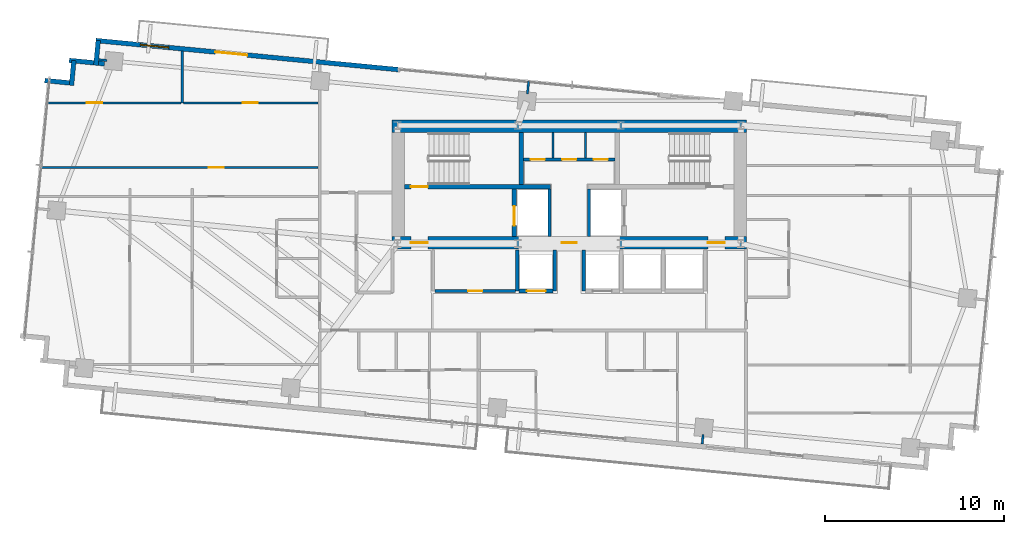
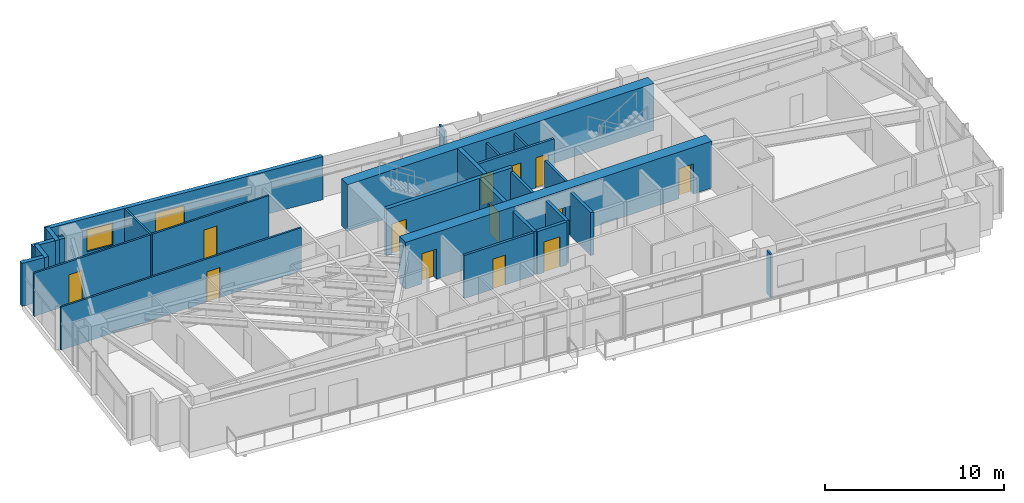
# One storey, part 15 of 19: 27 walls, 14 doors, 1 window, 15 openings.
"""IFC4 building model written with IfcOpenShell, lengths in metres."""

from ifc_helpers import new_model, si_unit, direction, frame, frame_2d, origin, place, context, subcontext, project, spatial, rectangle, extrude, source, transform, mapped, material, layer, layer_set, type_object, type_shapes, element, fill, save


model = new_model("IFC4")

# Units and contexts
model_context = context("Model", 3, precision=1e-05, world=origin(), true_north=direction((0.0, 1.0)))
body_context = subcontext(model_context, "Body", "Model", "MODEL_VIEW")
ifc_project = project(units=[si_unit("LENGTHUNIT", "METRE"), si_unit("AREAUNIT", "SQUARE_METRE"), si_unit("VOLUMEUNIT", "CUBIC_METRE"), si_unit("PLANEANGLEUNIT", "RADIAN"), si_unit("MASSUNIT", "GRAM", prefix="KILO")], contexts=[model_context])

# Site, building, storey
site_placement = place(None, origin())
site = spatial("IfcSite", under=ifc_project, at=site_placement, CompositionType="ELEMENT")
building_placement = place(site_placement, origin())
building = spatial("IfcBuilding", under=site, at=building_placement, Name="Astriad Promenade Condominiums", CompositionType="ELEMENT")
storey_placement = place(building_placement, frame((0.0, 0.0, 124.60009765625)))
storey = spatial("IfcBuildingStorey", under=building, at=storey_placement, Name="L35", CompositionType="ELEMENT", Elevation=124.60009765625)

# Wall, openings, doors
ifc_material_1 = material(Name="Concrete C60/75", Category="concrete")
ifc_layer_1 = layer(ifc_material_1, 0.699951171875)
ifc_layer_set_1 = layer_set([ifc_layer_1], Name="Concrete C60/75")
wall_type_1 = type_object("IfcWallType", Name="CW-SHEAR-700", PredefinedType="SHEAR", material=ifc_layer_set_1)
wall_1_placement = place(storey_placement, frame((26.10009765625, 17.449951171875, 0.0), z_axis=(0.0, 0.0, 1.0), x_axis=(1.0, 0.0, 0.0)))
wall_1 = element("IfcWall", 1, at=wall_1_placement, inside=storey, type_object=wall_type_1, Name="CW-CORE-S-L35", PredefinedType="SHEAR", context=body_context, shape_type="SweptSolid", body=[
    extrude(rectangle(XDim=19.7998046875, YDim=0.699951171875, at=frame_2d((9.89990234375, 0.0))), origin(), (0.0, 0.0, 1.0), 3.199951171875),
])
opening_1_placement = place(wall_1_placement, frame((1.050048828125, 0.0, 0.0)))
opening_1 = element("IfcOpeningElement", 2, at=opening_1_placement, cuts=wall_1, Name="Opening FD90-ST-095", PredefinedType="OPENING", context=body_context, shape_type="SweptSolid", body=[
    extrude(rectangle(XDim=0.949951171875, YDim=2.06005859375, at=frame_2d((0.47509765625, 1.030029296875))), frame((0.0, 0.35986328125, 0.0), z_axis=(0.0, -1.0, 0.0), x_axis=(1.0, 0.0, 0.0)), (0.0, 0.0, 1.0), 0.719970703125),
])
opening_2_placement = place(wall_1_placement, frame((9.47998046875, 0.0, 0.0)))
opening_2 = element("IfcOpeningElement", 3, at=opening_2_placement, cuts=wall_1, Name="Opening FD60-ULOW-085", PredefinedType="OPENING", context=body_context, shape_type="SweptSolid", body=[
    extrude(rectangle(XDim=0.85009765625, YDim=2.0, at=frame_2d((0.425048828125, 1.0))), frame((0.0, 0.35986328125, 0.0), z_axis=(0.0, -1.0, 0.0), x_axis=(1.0, 0.0, 0.0)), (0.0, 0.0, 1.0), 0.719970703125),
])
opening_3_placement = place(wall_1_placement, frame((17.64990234375, 0.0, 0.0)))
opening_3 = element("IfcOpeningElement", 4, at=opening_3_placement, cuts=wall_1, Name="Opening FD90-ST-095", PredefinedType="OPENING", context=body_context, shape_type="SweptSolid", body=[
    extrude(rectangle(XDim=0.949951171875, YDim=2.06005859375, at=frame_2d((0.47509765625, 1.030029296875))), frame((0.0, 0.35986328125, 0.0), z_axis=(0.0, -1.0, 0.0), x_axis=(1.0, 0.0, 0.0)), (0.0, 0.0, 1.0), 0.719970703125),
])
ifc_material_2 = material(Name="Fire-Rated Hollow Metal Stair Door")
door_type_1 = type_object("IfcDoorType", Name="FD90-ST-095", OperationType="NOTDEFINED", PredefinedType="DOOR", material=ifc_material_2)
shared_shape_1 = source(origin(), body_context, "Body", "SweptSolid", [
    extrude(rectangle(XDim=0.949951171875, YDim=2.06005859375, at=frame_2d((0.47509765625, 1.030029296875))), frame((0.0, 0.02490234375, 0.0), z_axis=(0.0, -1.0, 0.0), x_axis=(1.0, 0.0, 0.0)), (0.0, 0.0, 1.0), 0.050048828125),
])
type_shapes(door_type_1, [shared_shape_1])
door_1_placement = place(opening_1_placement, origin())
door_1 = element("IfcDoor", 5, at=door_1_placement, inside=storey, type_object=door_type_1, Name="D-FFW-L35", OperationType="SINGLE_SWING_LEFT", OverallHeight=2.06005859375, OverallWidth=0.949951171875, PredefinedType="DOOR", context=body_context, shape_type="MappedRepresentation", body=[
    mapped(shared_shape_1, transform((0.0, 0.0, 0.0), scale=1.0)),
])
fill(opening_1, door_1)
door_2_placement = place(opening_3_placement, origin())
door_2 = element("IfcDoor", 6, at=door_2_placement, inside=storey, type_object=door_type_1, Name="D-FFE-L35", OperationType="SINGLE_SWING_RIGHT", OverallHeight=2.06005859375, OverallWidth=0.949951171875, PredefinedType="DOOR", context=body_context, shape_type="MappedRepresentation", body=[
    mapped(shared_shape_1, transform((0.0, 0.0, 0.0), scale=1.0)),
])
fill(opening_3, door_2)
ifc_material_3 = material(Name="Solid-Core Low-Headroom Fire Door")
door_type_2 = type_object("IfcDoorType", Name="FD60-ULOW-085", OperationType="NOTDEFINED", PredefinedType="DOOR", material=ifc_material_3)
shared_shape_2 = source(origin(), body_context, "Body", "SweptSolid", [
    extrude(rectangle(XDim=0.85009765625, YDim=2.0, at=frame_2d((0.425048828125, 1.0))), frame((0.0, 0.02490234375, 0.0), z_axis=(0.0, -1.0, 0.0), x_axis=(1.0, 0.0, 0.0)), (0.0, 0.0, 1.0), 0.050048828125),
])
type_shapes(door_type_2, [shared_shape_2])
door_3_placement = place(opening_2_placement, origin())
door_3 = element("IfcDoor", 7, at=door_3_placement, inside=storey, type_object=door_type_2, Name="D-CSL-L35", OperationType="SINGLE_SWING_RIGHT", OverallHeight=2.0, OverallWidth=0.85009765625, PredefinedType="DOOR", context=body_context, shape_type="MappedRepresentation", body=[
    mapped(shared_shape_2, transform((0.0, 0.0, 0.0), scale=1.0)),
])
fill(opening_2, door_3)

# Wall
wall_2_placement = place(storey_placement, frame((26.10009765625, 23.949951171875, 0.0), z_axis=(0.0, 0.0, 1.0), x_axis=(1.0, 0.0, 0.0)))
element("IfcWall", 8, at=wall_2_placement, inside=storey, type_object=wall_type_1, Name="CW-CORE-N-L35", PredefinedType="SHEAR", context=body_context, shape_type="SweptSolid", body=[
    extrude(rectangle(XDim=19.7998046875, YDim=0.699951171875, at=frame_2d((9.89990234375, 0.0))), origin(), (0.0, 0.0, 1.0), 3.199951171875),
])

# Wall, opening, door
ifc_material_4 = material(Name="Concrete C50/60", Category="concrete")
ifc_layer_2 = layer(ifc_material_4, 0.25)
ifc_layer_set_2 = layer_set([ifc_layer_2], Name="Concrete C50/60")
wall_type_2 = type_object("IfcWallType", Name="WALL-CORE-INT-250", PredefinedType="SOLIDWALL", material=ifc_layer_set_2)
wall_3_placement = place(storey_placement, frame((26.802001953125, 20.574951171875, 0.0), z_axis=(0.0, 0.0, 1.0), x_axis=(1.0, 0.0, 0.0)))
wall_3 = element("IfcWall", 9, at=wall_3_placement, inside=storey, type_object=wall_type_2, Name="CW-INT-H1-L35", PredefinedType="SOLIDWALL", context=body_context, shape_type="SweptSolid", body=[
    extrude(rectangle(XDim=8.14794921875, YDim=0.25, at=frame_2d((4.073974609375, 0.0))), origin(), (0.0, 0.0, 1.0), 3.199951171875),
])
opening_4_placement = place(wall_3_placement, frame((0.347900390625, 0.0, 0.0)))
opening_4 = element("IfcOpeningElement", 10, at=opening_4_placement, cuts=wall_3, Name="Opening FD90-ST-095", PredefinedType="OPENING", context=body_context, shape_type="SweptSolid", body=[
    extrude(rectangle(XDim=0.949951171875, YDim=2.06005859375, at=frame_2d((0.47509765625, 1.030029296875))), frame((0.0, 0.135009765625, 0.0), z_axis=(0.0, -1.0, 0.0), x_axis=(1.0, 0.0, 0.0)), (0.0, 0.0, 1.0), 0.27001953125),
])
door_4_placement = place(opening_4_placement, origin())
door_4 = element("IfcDoor", 11, at=door_4_placement, inside=storey, type_object=door_type_1, Name="D-ST1-L35", OperationType="SINGLE_SWING_RIGHT", OverallHeight=2.06005859375, OverallWidth=0.949951171875, PredefinedType="DOOR", context=body_context, shape_type="MappedRepresentation", body=[
    mapped(shared_shape_1, transform((0.0, 0.0, 0.0), scale=1.0)),
])
fill(opening_4, door_4)

# Wall
wall_4_placement = place(storey_placement, frame((33.324951171875, 20.701904296875, 0.0), z_axis=(0.0, 0.0, 1.0), x_axis=(0.0, 1.0, 0.0)))
element("IfcWall", 12, at=wall_4_placement, inside=storey, type_object=wall_type_2, Name="CW-ST1-E-L35", PredefinedType="SOLIDWALL", context=body_context, shape_type="SweptSolid", body=[
    extrude(rectangle(XDim=2.89599609375, YDim=0.25, at=frame_2d((1.447998046875, 0.0))), origin(), (0.0, 0.0, 1.0), 3.199951171875),
])

# Wall, opening, door
wall_5_placement = place(storey_placement, frame((32.925048828125, 17.802001953125, 0.0), z_axis=(0.0, 0.0, 1.0), x_axis=(0.0, 1.0, 0.0)))
wall_5 = element("IfcWall", 13, at=wall_5_placement, inside=storey, type_object=wall_type_2, Name="CW-FFL1-W-L35", PredefinedType="SOLIDWALL", context=body_context, shape_type="SweptSolid", body=[
    extrude(rectangle(XDim=2.64599609375, YDim=0.25, at=frame_2d((1.322998046875, 0.0))), origin(), (0.0, 0.0, 1.0), 3.199951171875),
])
opening_5_placement = place(wall_5_placement, frame((0.597900390625, 0.0, 0.0)))
opening_5 = element("IfcOpeningElement", 14, at=opening_5_placement, cuts=wall_5, Name="Opening LD-FFL-1122", PredefinedType="OPENING", context=body_context, shape_type="SweptSolid", body=[
    extrude(rectangle(XDim=1.10009765625, YDim=2.080078125, at=frame_2d((0.550048828125, 1.0400390625))), frame((0.0, 0.135009765625, 0.0), z_axis=(0.0, -1.0, 0.0), x_axis=(1.0, 0.0, 0.0)), (0.0, 0.0, 1.0), 0.27001953125),
])
ifc_material_5 = material(Name="Brushed Stainless Steel Fire Elevator Landing Door", Category="steel")
door_type_3 = type_object("IfcDoorType", Name="LD-FFL-1122", OperationType="NOTDEFINED", PredefinedType="DOOR", material=ifc_material_5)
shared_shape_3 = source(origin(), body_context, "Body", "SweptSolid", [
    extrude(rectangle(XDim=1.10009765625, YDim=2.080078125, at=frame_2d((0.550048828125, 1.0400390625))), frame((0.0, 0.02490234375, 0.0), z_axis=(0.0, -1.0, 0.0), x_axis=(1.0, 0.0, 0.0)), (0.0, 0.0, 1.0), 0.050048828125),
])
type_shapes(door_type_3, [shared_shape_3])
door_5_placement = place(opening_5_placement, origin())
door_5 = element("IfcDoor", 15, at=door_5_placement, inside=storey, type_object=door_type_3, Name="Elevator Landing Door FFL-1 (L35)", OperationType="SLIDING_TO_LEFT", OverallHeight=2.080078125, OverallWidth=1.10009765625, PredefinedType="DOOR", context=body_context, shape_type="MappedRepresentation", body=[
    mapped(shared_shape_3, transform((0.0, 0.0, 0.0), scale=1.0)),
])
fill(opening_5, door_5)

# Walls
ifc_material_6 = material(Name="Fire-Rated Gypsum Partition")
ifc_layer_3 = layer(ifc_material_6, 0.159912109375)
ifc_layer_set_3 = layer_set([ifc_layer_3], Name="Fire-Rated Gypsum Partition")
wall_type_3 = type_object("IfcWallType", Name="WALL-CORR-160", PredefinedType="PARTITIONING", material=ifc_layer_set_3)
for number, where, z_axis, x_axis, name in (
    (16, (34.89990234375, 17.802001953125, 0.0), (0.0, 0.0, 1.0), (0.0, 1.0, 0.0), "CW-FFL1-E-L35"),
    (17, (37.10009765625, 17.802001953125, 0.0), (0.0, 0.0, 1.0), (0.0, 1.0, 0.0), "CW-FFL2-W-L35"),
):
    element("IfcWall", number, at=place(storey_placement, frame(where, z_axis=z_axis, x_axis=x_axis)), inside=storey, type_object=wall_type_3, Name=name, PredefinedType="PARTITIONING", context=body_context, shape_type="SweptSolid", body=[
        extrude(rectangle(XDim=2.64599609375, YDim=0.159912109375, at=frame_2d((1.322998046875, 0.0))), origin(), (0.0, 0.0, 1.0), 2.93994140625),
    ])

# Wall, openings, doors
wall_6_placement = place(storey_placement, frame((33.451904296875, 22.10009765625, 0.0), z_axis=(0.0, 0.0, 1.0), x_axis=(1.0, 0.0, 0.0)))
wall_6 = element("IfcWall", 18, at=wall_6_placement, inside=storey, type_object=wall_type_3, Name="CW-AUX-N-L35", PredefinedType="PARTITIONING", context=body_context, shape_type="SweptSolid", body=[
    extrude(rectangle(XDim=5.09619140625, YDim=0.159912109375, at=frame_2d((2.548095703125, 0.0))), origin(), (0.0, 0.0, 1.0), 2.93994140625),
])
opening_6_placement = place(wall_6_placement, frame((0.387939453125, 0.0, 0.0)))
opening_6 = element("IfcOpeningElement", 19, at=opening_6_placement, cuts=wall_6, Name="Opening FD60-SV-080", PredefinedType="OPENING", context=body_context, shape_type="SweptSolid", body=[
    extrude(rectangle(XDim=0.800048828125, YDim=2.050048828125, at=frame_2d((0.39990234375, 1.02490234375))), frame((0.0, 0.08984375, 0.0), z_axis=(0.0, -1.0, 0.0), x_axis=(1.0, 0.0, 0.0)), (0.0, 0.0, 1.0), 0.179931640625),
])
opening_7_placement = place(wall_6_placement, frame((2.14794921875, 0.0, 0.0)))
opening_7 = element("IfcOpeningElement", 20, at=opening_7_placement, cuts=wall_6, Name="Opening FD60-SV-080", PredefinedType="OPENING", context=body_context, shape_type="SweptSolid", body=[
    extrude(rectangle(XDim=0.800048828125, YDim=2.050048828125, at=frame_2d((0.39990234375, 1.02490234375))), frame((0.0, 0.08984375, 0.0), z_axis=(0.0, -1.0, 0.0), x_axis=(1.0, 0.0, 0.0)), (0.0, 0.0, 1.0), 0.179931640625),
])
opening_8_placement = place(wall_6_placement, frame((3.907958984375, 0.0, 0.0)))
opening_8 = element("IfcOpeningElement", 21, at=opening_8_placement, cuts=wall_6, Name="Opening FD60-SV-080", PredefinedType="OPENING", context=body_context, shape_type="SweptSolid", body=[
    extrude(rectangle(XDim=0.800048828125, YDim=2.050048828125, at=frame_2d((0.39990234375, 1.02490234375))), frame((0.0, 0.08984375, 0.0), z_axis=(0.0, -1.0, 0.0), x_axis=(1.0, 0.0, 0.0)), (0.0, 0.0, 1.0), 0.179931640625),
])
ifc_material_7 = material(Name="Fire-Rated Riser Closet Door")
door_type_4 = type_object("IfcDoorType", Name="FD60-SV-080", OperationType="NOTDEFINED", PredefinedType="DOOR", material=ifc_material_7)
shared_shape_4 = source(origin(), body_context, "Body", "SweptSolid", [
    extrude(rectangle(XDim=0.800048828125, YDim=2.050048828125, at=frame_2d((0.39990234375, 1.02490234375))), frame((0.0, 0.02490234375, 0.0), z_axis=(0.0, -1.0, 0.0), x_axis=(1.0, 0.0, 0.0)), (0.0, 0.0, 1.0), 0.050048828125),
])
type_shapes(door_type_4, [shared_shape_4])
door_6_placement = place(opening_6_placement, origin())
door_6 = element("IfcDoor", 22, at=door_6_placement, inside=storey, type_object=door_type_4, Name="D-AUX1-L35", OperationType="SINGLE_SWING_RIGHT", OverallHeight=2.050048828125, OverallWidth=0.800048828125, PredefinedType="DOOR", context=body_context, shape_type="MappedRepresentation", body=[
    mapped(shared_shape_4, transform((0.0, 0.0, 0.0), scale=1.0)),
])
fill(opening_6, door_6)
door_7_placement = place(opening_7_placement, origin())
door_7 = element("IfcDoor", 23, at=door_7_placement, inside=storey, type_object=door_type_4, Name="D-AUX2-L35", OperationType="SINGLE_SWING_LEFT", OverallHeight=2.050048828125, OverallWidth=0.800048828125, PredefinedType="DOOR", context=body_context, shape_type="MappedRepresentation", body=[
    mapped(shared_shape_4, transform((0.0, 0.0, 0.0), scale=1.0)),
])
fill(opening_7, door_7)
door_8_placement = place(opening_8_placement, origin())
door_8 = element("IfcDoor", 24, at=door_8_placement, inside=storey, type_object=door_type_4, Name="D-AUX3-L35", OperationType="SINGLE_SWING_RIGHT", OverallHeight=2.050048828125, OverallWidth=0.800048828125, PredefinedType="DOOR", context=body_context, shape_type="MappedRepresentation", body=[
    mapped(shared_shape_4, transform((0.0, 0.0, 0.0), scale=1.0)),
])
fill(opening_8, door_8)

# Wall, opening, door
wall_7_placement = place(storey_placement, frame((28.48193359375, 14.75, 0.0), z_axis=(0.0, 0.0, 1.0), x_axis=(1.0, 0.0, 0.0)))
wall_7 = element("IfcWall", 25, at=wall_7_placement, inside=storey, type_object=wall_type_3, Name="REC-L-S-L35", PredefinedType="PARTITIONING", context=body_context, shape_type="SweptSolid", body=[
    extrude(rectangle(XDim=4.51611328125, YDim=0.159912109375, at=frame_2d((2.258056640625, 0.0))), origin(), (0.0, 0.0, 1.0), 2.93994140625),
])
opening_9_placement = place(wall_7_placement, frame((1.867919921875, 0.0, 0.0)))
opening_9 = element("IfcOpeningElement", 26, at=opening_9_placement, cuts=wall_7, Name="Opening FD60-SV-080", PredefinedType="OPENING", context=body_context, shape_type="SweptSolid", body=[
    extrude(rectangle(XDim=0.800048828125, YDim=2.050048828125, at=frame_2d((0.39990234375, 1.02490234375))), frame((0.0, 0.08984375, 0.0), z_axis=(0.0, -1.0, 0.0), x_axis=(1.0, 0.0, 0.0)), (0.0, 0.0, 1.0), 0.179931640625),
])
door_9_placement = place(opening_9_placement, origin())
door_9 = element("IfcDoor", 27, at=door_9_placement, inside=storey, type_object=door_type_4, Name="D-RECL-L35", OperationType="SINGLE_SWING_LEFT", OverallHeight=2.050048828125, OverallWidth=0.800048828125, PredefinedType="DOOR", context=body_context, shape_type="MappedRepresentation", body=[
    mapped(shared_shape_4, transform((0.0, 0.0, 0.0), scale=1.0)),
])
fill(opening_9, door_9)

# Walls
ifc_material_8 = material(Name="Precast concrete C50/60", Category="concrete")
ifc_layer_4 = layer(ifc_material_8, 0.260009765625)
ifc_layer_set_4 = layer_set([ifc_layer_4], Name="Precast concrete C50/60")
wall_type_4 = type_object("IfcWallType", Name="WALL-EXT-TWR-260", PredefinedType="STANDARD", material=ifc_layer_set_4)
wall_8_placement = place(storey_placement, frame((6.68115234375, 26.518310546875, 0.0), z_axis=(0.0, 0.0, 1.0), x_axis=(0.995389446633, -0.095915846097, 0.0)))
element("IfcWall", 28, at=wall_8_placement, inside=storey, type_object=wall_type_4, Name="W-SER-L35-04", PredefinedType="STANDARD", context=body_context, shape_type="SweptSolid", body=[
    extrude(rectangle(XDim=1.394775390625, YDim=0.260009765625, at=frame_2d((0.697265625, 0.0))), origin(), (0.0, 0.0, 1.0), 2.93994140625),
])
wall_9_placement = place(storey_placement, frame((8.171875, 26.243896484375, 0.0), z_axis=(0.0, 0.0, 1.0), x_axis=(0.095725744959, 0.99540774648, 0.0)))
element("IfcWall", 29, at=wall_9_placement, inside=storey, type_object=wall_type_4, Name="W-SER-L35-05", PredefinedType="STANDARD", context=body_context, shape_type="SweptSolid", body=[
    extrude(rectangle(XDim=1.39501953125, YDim=0.260009765625, at=frame_2d((0.697509765625, 0.0))), origin(), (0.0, 0.0, 1.0), 2.93994140625),
])
wall_10_placement = place(storey_placement, frame((8.045166015625, 27.642578125, 0.0), z_axis=(0.0, 0.0, 1.0), x_axis=(0.995391147587, -0.095898192396, 0.0)))
element("IfcWall", 30, at=wall_10_placement, inside=storey, type_object=wall_type_4, Name="W-SER-L35-06", PredefinedType="STANDARD", context=body_context, shape_type="SweptSolid", body=[
    extrude(rectangle(XDim=1.97802734375, YDim=0.260009765625, at=frame_2d((0.989013671875, 0.0))), origin(), (0.0, 0.0, 1.0), 2.93994140625),
])
wall_11_placement = place(storey_placement, frame((9.535888671875, 27.368408203125, 0.0), z_axis=(0.0, 0.0, 1.0), x_axis=(0.095915846097, 0.995389446633, 0.0)))
element("IfcWall", 31, at=wall_11_placement, inside=storey, type_object=wall_type_4, Name="W-SER-L35-07", PredefinedType="STANDARD", context=body_context, shape_type="SweptSolid", body=[
    extrude(rectangle(XDim=1.394775390625, YDim=0.260009765625, at=frame_2d((0.697265625, 0.0))), origin(), (0.0, 0.0, 1.0), 2.93994140625),
])

# Wall, openings, door, window
wall_12_placement = place(storey_placement, frame((9.538818359375, 28.75439453125, 0.0), z_axis=(0.0, 0.0, 1.0), x_axis=(0.995397345886, -0.09583383433, 0.0)))
wall_12 = element("IfcWall", 32, at=wall_12_placement, inside=storey, type_object=wall_type_4, Name="W-EXT-L35-N1", PredefinedType="STANDARD", context=body_context, shape_type="SweptSolid", body=[
    extrude(rectangle(XDim=17.010009765625, YDim=0.260009765625, at=frame_2d((8.5048828125, 0.0))), origin(), (0.0, 0.0, 1.0), 2.93994140625),
])
opening_10_placement = place(wall_12_placement, frame((6.7109375, 0.0, 0.0)))
opening_10 = element("IfcOpeningElement", 33, at=opening_10_placement, cuts=wall_12, Name="Opening BD-1822-SLD", PredefinedType="OPENING", context=body_context, shape_type="SweptSolid", body=[
    extrude(rectangle(XDim=1.800048828125, YDim=2.06005859375, at=frame_2d((0.89990234375, 1.030029296875))), frame((0.0, 0.139892578125, 0.0), z_axis=(0.0, -1.0, 0.0), x_axis=(1.0, 0.0, 0.0)), (0.0, 0.0, 1.0), 0.280029296875),
])
opening_11_placement = place(wall_12_placement, frame((2.5, 0.0, 0.64990234375)))
opening_11 = element("IfcOpeningElement", 34, at=opening_11_placement, cuts=wall_12, Name="Opening WIN-TWR-1620", PredefinedType="OPENING", context=body_context, shape_type="SweptSolid", body=[
    extrude(rectangle(XDim=1.60009765625, YDim=1.5, at=frame_2d((0.800048828125, 0.75))), frame((0.0, 0.139892578125, 0.0), z_axis=(0.0, -1.0, 0.0), x_axis=(1.0, 0.0, 0.0)), (0.0, 0.0, 1.0), 0.280029296875),
])
ifc_material_9 = material(Name="Thermally Broken Aluminium Sliding Balcony Door", Category="aluminium")
door_type_5 = type_object("IfcDoorType", Name="BD-1822-SLD", OperationType="NOTDEFINED", PredefinedType="DOOR", material=ifc_material_9)
shared_shape_5 = source(origin(), body_context, "Body", "SweptSolid", [
    extrude(rectangle(XDim=1.800048828125, YDim=2.06005859375, at=frame_2d((0.89990234375, 1.030029296875))), frame((0.0, 0.02490234375, 0.0), z_axis=(0.0, -1.0, 0.0), x_axis=(1.0, 0.0, 0.0)), (0.0, 0.0, 1.0), 0.050048828125),
])
type_shapes(door_type_5, [shared_shape_5])
door_10_placement = place(opening_10_placement, origin())
door_10 = element("IfcDoor", 35, at=door_10_placement, inside=storey, type_object=door_type_5, Name="BD-L35-NW", OperationType="SLIDING_TO_LEFT", OverallHeight=2.06005859375, OverallWidth=1.800048828125, PredefinedType="DOOR", context=body_context, shape_type="MappedRepresentation", body=[
    mapped(shared_shape_5, transform((0.0, 0.0, 0.0), scale=1.0)),
])
fill(opening_10, door_10)
ifc_material_10 = material(Name="Dark Tinted Triple-Glazed Aluminium Window", Category="aluminium")
window_type = type_object("IfcWindowType", Name="WIN-TWR-1620", PartitioningType="SINGLE_PANEL", PredefinedType="WINDOW", material=ifc_material_10)
shared_shape_6 = source(origin(), body_context, "Body", "SweptSolid", [
    extrude(rectangle(XDim=1.60009765625, YDim=1.5, at=frame_2d((0.800048828125, 0.75))), frame((0.0, 0.030029296875, 0.0), z_axis=(0.0, -1.0, 0.0), x_axis=(1.0, 0.0, 0.0)), (0.0, 0.0, 1.0), 0.06005859375),
])
type_shapes(window_type, [shared_shape_6])
window_placement = place(opening_11_placement, origin())
window = element("IfcWindow", 36, at=window_placement, inside=storey, type_object=window_type, Name="WIN-L35-NW", OverallHeight=1.5, OverallWidth=1.60009765625, PartitioningType="SINGLE_PANEL", PredefinedType="WINDOW", context=body_context, shape_type="MappedRepresentation", body=[
    mapped(shared_shape_6, transform((0.0, 0.0, 0.0), scale=1.0)),
])
fill(opening_11, window)

# Walls
ifc_material_11 = material(Name="Acoustic Metal-Stud Gypsum Partition")
ifc_layer_5 = layer(ifc_material_11, 0.1201171875)
ifc_layer_set_5 = layer_set([ifc_layer_5], Name="Acoustic Metal-Stud Gypsum Partition")
wall_type_5 = type_object("IfcWallType", Name="WALL-PART-120", PredefinedType="PARTITIONING", material=ifc_layer_set_5)
for number, where, z_axis, x_axis, name in (
    (37, (35.10009765625, 22.181884765625, 0.0), (0.0, 0.0, 1.0), (0.0, 1.0, 0.0), "CW-AUX-V1-L35"),
    (38, (36.89990234375, 22.181884765625, 0.0), (0.0, 0.0, 1.0), (0.0, 1.0, 0.0), "CW-AUX-V2-L35"),
):
    element("IfcWall", number, at=place(storey_placement, frame(where, z_axis=z_axis, x_axis=x_axis)), inside=storey, type_object=wall_type_5, Name=name, PredefinedType="PARTITIONING", context=body_context, shape_type="SweptSolid", body=[
        extrude(rectangle(XDim=1.416015625, YDim=0.1201171875, at=frame_2d((0.7080078125, 0.0))), origin(), (0.0, 0.0, 1.0), 2.93994140625),
    ])
wall_13_placement = place(storey_placement, frame((14.364013671875, 25.26806640625, 0.0), z_axis=(0.0, 0.0, 1.0), x_axis=(0.0, 1.0, 0.0)))
element("IfcWall", 39, at=wall_13_placement, inside=storey, type_object=wall_type_5, Name="PT-L35-W1-B1M", PredefinedType="PARTITIONING", context=body_context, shape_type="SweptSolid", body=[
    extrude(rectangle(XDim=2.88916015625, YDim=0.1201171875, at=frame_2d((1.444580078125, 0.0))), origin(), (0.0, 0.0, 1.0), 2.93994140625),
])

# Wall, opening, door
wall_14_placement = place(storey_placement, frame((6.771728515625, 25.26806640625, 0.0), z_axis=(0.0, 0.0, 1.0), x_axis=(1.0, 0.0, 0.0)))
wall_14 = element("IfcWall", 40, at=wall_14_placement, inside=storey, type_object=wall_type_5, Name="PT-L35-W1-B1", PredefinedType="PARTITIONING", context=body_context, shape_type="SweptSolid", body=[
    extrude(rectangle(XDim=7.5302734375, YDim=0.1201171875, at=frame_2d((3.76513671875, 0.0))), origin(), (0.0, 0.0, 1.0), 2.93994140625),
])
opening_12_placement = place(wall_14_placement, frame((2.260009765625, 0.0, 0.0)))
opening_12 = element("IfcOpeningElement", 41, at=opening_12_placement, cuts=wall_14, Name="Opening D-INT-085", PredefinedType="OPENING", context=body_context, shape_type="SweptSolid", body=[
    extrude(rectangle(XDim=0.85009765625, YDim=2.050048828125, at=frame_2d((0.425048828125, 1.02490234375))), frame((0.0, 0.070068359375, 0.0), z_axis=(0.0, -1.0, 0.0), x_axis=(1.0, 0.0, 0.0)), (0.0, 0.0, 1.0), 0.14013671875),
])
ifc_material_12 = material(Name="Painted Solid-Core Timber Room Door", Category="wood")
door_type_6 = type_object("IfcDoorType", Name="D-INT-085", OperationType="NOTDEFINED", PredefinedType="DOOR", material=ifc_material_12)
shared_shape_7 = source(origin(), body_context, "Body", "SweptSolid", [
    extrude(rectangle(XDim=0.85009765625, YDim=2.050048828125, at=frame_2d((0.425048828125, 1.02490234375))), frame((0.0, 0.02490234375, 0.0), z_axis=(0.0, -1.0, 0.0), x_axis=(1.0, 0.0, 0.0)), (0.0, 0.0, 1.0), 0.050048828125),
])
type_shapes(door_type_6, [shared_shape_7])
door_11_placement = place(opening_12_placement, origin())
door_11 = element("IfcDoor", 42, at=door_11_placement, inside=storey, type_object=door_type_6, Name="D-BD1-L35-W1", OperationType="SINGLE_SWING_LEFT", OverallHeight=2.050048828125, OverallWidth=0.85009765625, PredefinedType="DOOR", context=body_context, shape_type="MappedRepresentation", body=[
    mapped(shared_shape_7, transform((0.0, 0.0, 0.0), scale=1.0)),
])
fill(opening_12, door_11)

wall_15_placement = place(storey_placement, frame((14.426025390625, 25.26806640625, 0.0), z_axis=(0.0, 0.0, 1.0), x_axis=(1.0, 0.0, 0.0)))
wall_15 = element("IfcWall", 43, at=wall_15_placement, inside=storey, type_object=wall_type_5, Name="PT-L35-W1-B1-S2", PredefinedType="PARTITIONING", context=body_context, shape_type="SweptSolid", body=[
    extrude(rectangle(XDim=7.5419921875, YDim=0.1201171875, at=frame_2d((3.77099609375, 0.0))), origin(), (0.0, 0.0, 1.0), 2.93994140625),
])
opening_13_placement = place(wall_15_placement, frame((3.31591796875, 0.0, 0.0)))
opening_13 = element("IfcOpeningElement", 44, at=opening_13_placement, cuts=wall_15, Name="Opening D-INT-085", PredefinedType="OPENING", context=body_context, shape_type="SweptSolid", body=[
    extrude(rectangle(XDim=0.85009765625, YDim=2.050048828125, at=frame_2d((0.425048828125, 1.02490234375))), frame((0.0, 0.070068359375, 0.0), z_axis=(0.0, -1.0, 0.0), x_axis=(1.0, 0.0, 0.0)), (0.0, 0.0, 1.0), 0.14013671875),
])
door_12_placement = place(opening_13_placement, origin())
door_12 = element("IfcDoor", 45, at=door_12_placement, inside=storey, type_object=door_type_6, Name="D-BD1B-L35-W1", OperationType="SINGLE_SWING_RIGHT", OverallHeight=2.050048828125, OverallWidth=0.85009765625, PredefinedType="DOOR", context=body_context, shape_type="MappedRepresentation", body=[
    mapped(shared_shape_7, transform((0.0, 0.0, 0.0), scale=1.0)),
])
fill(opening_13, door_12)

wall_16_placement = place(storey_placement, frame((6.424072265625, 21.656005859375, 0.0), z_axis=(0.0, 0.0, 1.0), x_axis=(1.0, 0.0, 0.0)))
wall_16 = element("IfcWall", 46, at=wall_16_placement, inside=storey, type_object=wall_type_5, Name="PT-L35-W1-WDN1", PredefinedType="PARTITIONING", context=body_context, shape_type="SweptSolid", body=[
    extrude(rectangle(XDim=15.5439453125, YDim=0.1201171875, at=frame_2d((7.77197265625, 0.0))), origin(), (0.0, 0.0, 1.0), 2.93994140625),
])
opening_14_placement = place(wall_16_placement, frame((9.422119140625, 0.0, 0.0)))
opening_14 = element("IfcOpeningElement", 47, at=opening_14_placement, cuts=wall_16, Name="Opening D-INT-085", PredefinedType="OPENING", context=body_context, shape_type="SweptSolid", body=[
    extrude(rectangle(XDim=0.85009765625, YDim=2.050048828125, at=frame_2d((0.425048828125, 1.02490234375))), frame((0.0, 0.070068359375, 0.0), z_axis=(0.0, -1.0, 0.0), x_axis=(1.0, 0.0, 0.0)), (0.0, 0.0, 1.0), 0.14013671875),
])
door_13_placement = place(opening_14_placement, origin())
door_13 = element("IfcDoor", 48, at=door_13_placement, inside=storey, type_object=door_type_6, Name="D-WDN1-L35-W1", OperationType="SINGLE_SWING_LEFT", OverallHeight=2.050048828125, OverallWidth=0.85009765625, PredefinedType="DOOR", context=body_context, shape_type="MappedRepresentation", body=[
    mapped(shared_shape_7, transform((0.0, 0.0, 0.0), scale=1.0)),
])
fill(opening_14, door_13)

# Walls
wall_17_placement = place(storey_placement, frame((43.48388671875, 6.7294921875, 0.0), z_axis=(0.0, 0.0, 1.0), x_axis=(-0.095772948675, -0.995403205893, 0.0)))
element("IfcWall", 49, at=wall_17_placement, inside=storey, type_object=wall_type_5, Name="PT-PIL-L35-PC04-11", PredefinedType="PARTITIONING", context=body_context, shape_type="SweptSolid", body=[
    extrude(rectangle(XDim=0.537841796875, YDim=0.1201171875, at=frame_2d((0.26904296875, 0.0))), origin(), (0.0, 0.0, 1.0), 2.93994140625),
])
wall_18_placement = place(storey_placement, frame((10.15478515625, 27.640380859375, 0.0), z_axis=(0.0, 0.0, 1.0), x_axis=(-0.995435366701, 0.095438098896, 0.0)))
element("IfcWall", 50, at=wall_18_placement, inside=storey, type_object=wall_type_5, Name="PT-PIL-L35-PC06-13", PredefinedType="PARTITIONING", context=body_context, shape_type="SweptSolid", body=[
    extrude(rectangle(XDim=0.4580078125, YDim=0.1201171875, at=frame_2d((0.22900390625, 0.0))), origin(), (0.0, 0.0, 1.0), 2.93994140625),
])
wall_19_placement = place(storey_placement, frame((33.66259765625, 25.758544921875, 0.0), z_axis=(0.0, 0.0, 1.0), x_axis=(0.095977354523, 0.995383517755, 0.0)))
element("IfcWall", 51, at=wall_19_placement, inside=storey, type_object=wall_type_5, Name="PT-PIL-L35-PC08-15", PredefinedType="PARTITIONING", context=body_context, shape_type="SweptSolid", body=[
    extrude(rectangle(XDim=0.719970703125, YDim=0.1201171875, at=frame_2d((0.35986328125, 0.0))), origin(), (0.0, 0.0, 1.0), 2.93994140625),
])
ifc_material_13 = material(Name="Gypsum Shaftliner Assembly")
ifc_layer_6 = layer(ifc_material_13, 0.199951171875)
ifc_layer_set_6 = layer_set([ifc_layer_6], Name="Gypsum Shaftliner Assembly")
wall_type_6 = type_object("IfcWallType", Name="WALL-SHAFT-200", PredefinedType="PARTITIONING", material=ifc_layer_set_6)
for number, where, z_axis, x_axis, name in (
    (52, (33.10009765625, 14.75, 0.0), (0.0, 0.0, 1.0), (0.0, 1.0, 0.0), "REC-L-E-L35"),
    (53, (35.199951171875, 14.75, 0.0), (0.0, 0.0, 1.0), (0.0, 1.0, 0.0), "PL-M1-E-L35"),
):
    element("IfcWall", number, at=place(storey_placement, frame(where, z_axis=z_axis, x_axis=x_axis)), inside=storey, type_object=wall_type_6, Name=name, PredefinedType="PARTITIONING", context=body_context, shape_type="SweptSolid", body=[
        extrude(rectangle(XDim=2.300048828125, YDim=0.199951171875, at=frame_2d((1.14990234375, 0.0))), origin(), (0.0, 0.0, 1.0), 2.93994140625),
    ])

# Wall, opening, door
wall_20_placement = place(storey_placement, frame((33.201904296875, 14.75, 0.0), z_axis=(0.0, 0.0, 1.0), x_axis=(1.0, 0.0, 0.0)))
wall_20 = element("IfcWall", 54, at=wall_20_placement, inside=storey, type_object=wall_type_6, Name="PL-M1-F-L35", PredefinedType="PARTITIONING", context=body_context, shape_type="SweptSolid", body=[
    extrude(rectangle(XDim=1.89599609375, YDim=0.199951171875, at=frame_2d((0.947998046875, 0.0))), origin(), (0.0, 0.0, 1.0), 2.93994140625),
])
opening_15_placement = place(wall_20_placement, frame((0.423095703125, 0.0, 0.0)))
opening_15 = element("IfcOpeningElement", 55, at=opening_15_placement, cuts=wall_20, Name="Opening LD-PL-10522", PredefinedType="OPENING", context=body_context, shape_type="SweptSolid", body=[
    extrude(rectangle(XDim=1.050048828125, YDim=2.080078125, at=frame_2d((0.52490234375, 1.0400390625))), frame((0.0, 0.10986328125, 0.0), z_axis=(0.0, -1.0, 0.0), x_axis=(1.0, 0.0, 0.0)), (0.0, 0.0, 1.0), 0.219970703125),
])
ifc_material_14 = material(Name="Brushed Bronze Passenger Elevator Landing Door")
door_type_7 = type_object("IfcDoorType", Name="LD-PL-10522", OperationType="NOTDEFINED", PredefinedType="DOOR", material=ifc_material_14)
shared_shape_8 = source(origin(), body_context, "Body", "SweptSolid", [
    extrude(rectangle(XDim=1.050048828125, YDim=2.080078125, at=frame_2d((0.52490234375, 1.0400390625))), frame((0.0, 0.02490234375, 0.0), z_axis=(0.0, -1.0, 0.0), x_axis=(1.0, 0.0, 0.0)), (0.0, 0.0, 1.0), 0.050048828125),
])
type_shapes(door_type_7, [shared_shape_8])
door_14_placement = place(opening_15_placement, origin())
door_14 = element("IfcDoor", 56, at=door_14_placement, inside=storey, type_object=door_type_7, Name="Elevator Landing Door PL-M1 (L35)", OperationType="SLIDING_TO_LEFT", OverallHeight=2.080078125, OverallWidth=1.050048828125, PredefinedType="DOOR", context=body_context, shape_type="MappedRepresentation", body=[
    mapped(shared_shape_8, transform((0.0, 0.0, 0.0), scale=1.0)),
])
fill(opening_15, door_14)

# Wall
wall_21_placement = place(storey_placement, frame((36.800048828125, 14.75, 0.0), z_axis=(0.0, 0.0, 1.0), x_axis=(0.0, 1.0, 0.0)))
element("IfcWall", 57, at=wall_21_placement, inside=storey, type_object=wall_type_6, Name="PL-M2-W-L35", PredefinedType="PARTITIONING", context=body_context, shape_type="SweptSolid", body=[
    extrude(rectangle(XDim=2.300048828125, YDim=0.199951171875, at=frame_2d((1.14990234375, 0.0))), origin(), (0.0, 0.0, 1.0), 2.93994140625),
])

save(model, "model.ifc")
